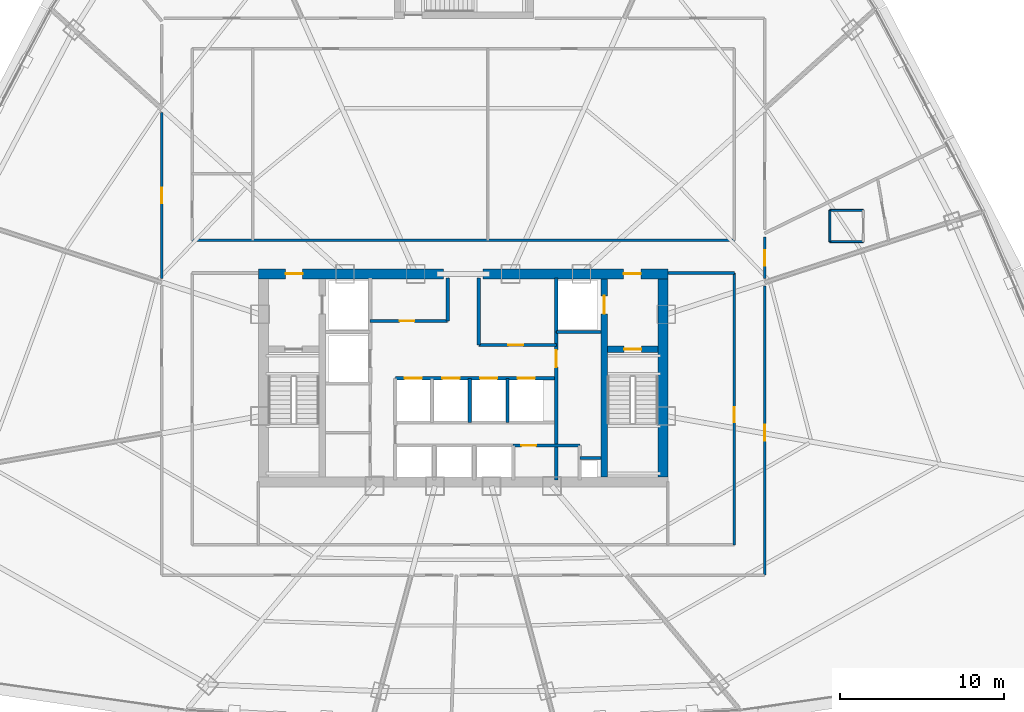
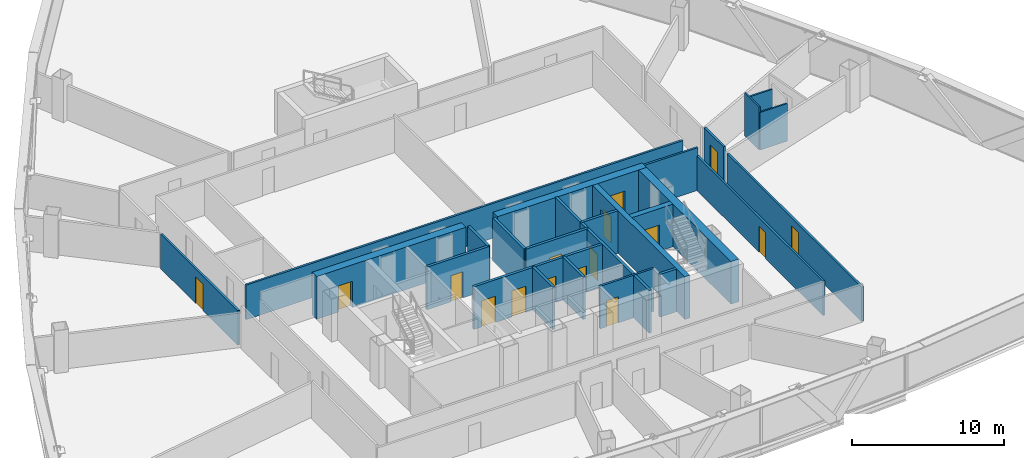
# One storey, part 36 of 42: 26 walls, 16 doors, 16 openings.
"""IFC4 building model written with IfcOpenShell, lengths in metres."""

from ifc_helpers import new_model, si_unit, direction, frame, frame_2d, origin, origin_with_axes, place, context, subcontext, project, spatial, rectangle, extrude, source, transform, mapped, material, layer, layer_set, type_object, element, fill, save


model = new_model("IFC4")

# Units and contexts
model_context = context("Model", 3, precision=1e-05, world=origin(), true_north=direction((0.0, 1.0)))
body_context = subcontext(model_context, "Body", "Model", "MODEL_VIEW")
ifc_project = project(units=[si_unit("LENGTHUNIT", "METRE"), si_unit("AREAUNIT", "SQUARE_METRE"), si_unit("VOLUMEUNIT", "CUBIC_METRE"), si_unit("PLANEANGLEUNIT", "RADIAN"), si_unit("MASSUNIT", "GRAM", prefix="KILO"), si_unit("THERMODYNAMICTEMPERATUREUNIT", "KELVIN"), si_unit("POWERUNIT", "WATT")], contexts=[model_context])

# Site, building, storey
site_placement = place(None, origin())
site = spatial("IfcSite", under=ifc_project, at=site_placement, CompositionType="ELEMENT")
building_placement = place(site_placement, origin())
building = spatial("IfcBuilding", under=site, at=building_placement, Name="Yunzhuo Pagoda Commons", CompositionType="ELEMENT")
storey_placement = place(building_placement, frame((0.0, 0.0, 137.18994140625)))
storey = spatial("IfcBuildingStorey", under=building, at=storey_placement, Name="L34", CompositionType="ELEMENT", Elevation=137.18994140625)

# Wall, opening, door
ifc_material_1 = material(Name="Concrete C60", Category="concrete")
ifc_layer_1 = layer(ifc_material_1, 0.60009765625)
ifc_layer_set_1 = layer_set([ifc_layer_1], Name="Concrete C60")
wall_type_1 = type_object("IfcWallType", Name="W-C02 Mid Core Shear Wall 600", PredefinedType="SHEAR", material=ifc_layer_set_1)
wall_1_placement = place(storey_placement, frame((35.5, 40.199951171875, 0.0), z_axis=(0.0, 0.0, 1.0), x_axis=(1.0, 0.0, 0.0)))
wall_1 = element("IfcWall", 1, at=wall_1_placement, inside=storey, type_object=wall_type_1, Name="L34 core shear wall NW", PredefinedType="SHEAR", context=body_context, shape_type="SweptSolid", body=[
    extrude(rectangle(XDim=11.300048828125, YDim=0.60009765625, at=frame_2d((5.64990234375, 0.0))), origin(), (0.0, 0.0, 1.0), 3.420166015625),
])
opening_1_placement = place(wall_1_placement, frame((1.64990234375, 0.0, 0.0)))
opening_1 = element("IfcOpeningElement", 2, at=opening_1_placement, cuts=wall_1, Name="Opening D-02", PredefinedType="OPENING", context=body_context, shape_type="SweptSolid", body=[
    extrude(rectangle(XDim=1.050048828125, YDim=2.10009765625, at=frame_2d((0.52490234375, 1.050048828125))), frame((0.0, 0.31005859375, 0.0), z_axis=(0.0, -1.0, 0.0), x_axis=(1.0, 0.0, 0.0)), (0.0, 0.0, 1.0), 0.6201171875),
])
ifc_material_2 = material(Name="Galvanized fire-resisting metal leaf")
door_type_1 = type_object("IfcDoorType", Name="D-02 Firefighting Lobby & Refuge Fire Door 1050x2100", OperationType="NOTDEFINED", PredefinedType="DOOR", material=ifc_material_2)
shared_shape_1 = source(origin(), body_context, "Body", "SweptSolid", [
    extrude(rectangle(XDim=1.050048828125, YDim=2.10009765625, at=frame_2d((0.52490234375, 1.050048828125))), frame((0.0, 0.02490234375, 0.0), z_axis=(0.0, -1.0, 0.0), x_axis=(1.0, 0.0, 0.0)), (0.0, 0.0, 1.0), 0.050048828125),
])
door_1_placement = place(opening_1_placement, frame((1.050048828125, 0.0, 0.0), z_axis=(0.0, 0.0, 1.0), x_axis=(-1.0, 0.0, 0.0)))
door_1 = element("IfcDoor", 3, at=door_1_placement, inside=storey, type_object=door_type_1, Name="L34 Firefighting Lobby 1 fire door", OperationType="SINGLE_SWING_LEFT", OverallHeight=2.10009765625, OverallWidth=1.050048828125, PredefinedType="DOOR", context=body_context, shape_type="MappedRepresentation", body=[
    mapped(shared_shape_1, transform((0.0, 0.0, 0.0), scale=1.0)),
])
fill(opening_1, door_1)

wall_2_placement = place(storey_placement, frame((49.199951171875, 40.199951171875, 0.0), z_axis=(0.0, 0.0, 1.0), x_axis=(1.0, 0.0, 0.0)))
wall_2 = element("IfcWall", 4, at=wall_2_placement, inside=storey, type_object=wall_type_1, Name="L34 core shear wall NE", PredefinedType="SHEAR", context=body_context, shape_type="SweptSolid", body=[
    extrude(rectangle(XDim=11.300048828125, YDim=0.60009765625, at=frame_2d((5.64990234375, 0.0))), origin(), (0.0, 0.0, 1.0), 3.420166015625),
])
opening_2_placement = place(wall_2_placement, frame((8.60009765625, 0.0, 0.0)))
opening_2 = element("IfcOpeningElement", 5, at=opening_2_placement, cuts=wall_2, Name="Opening D-02", PredefinedType="OPENING", context=body_context, shape_type="SweptSolid", body=[
    extrude(rectangle(XDim=1.050048828125, YDim=2.10009765625, at=frame_2d((0.52490234375, 1.050048828125))), frame((0.0, 0.31005859375, 0.0), z_axis=(0.0, -1.0, 0.0), x_axis=(1.0, 0.0, 0.0)), (0.0, 0.0, 1.0), 0.6201171875),
])
door_2_placement = place(opening_2_placement, frame((1.050048828125, 0.0, 0.0), z_axis=(0.0, 0.0, 1.0), x_axis=(-1.0, 0.0, 0.0)))
door_2 = element("IfcDoor", 6, at=door_2_placement, inside=storey, type_object=door_type_1, Name="L34 Firefighting Lobby 2 fire door", OperationType="SINGLE_SWING_RIGHT", OverallHeight=2.10009765625, OverallWidth=1.050048828125, PredefinedType="DOOR", context=body_context, shape_type="MappedRepresentation", body=[
    mapped(shared_shape_1, transform((0.0, 0.0, 0.0), scale=1.0)),
])
fill(opening_2, door_2)

# Wall
wall_3_placement = place(storey_placement, frame((60.199951171875, 27.800048828125, 0.0), z_axis=(0.0, 0.0, 1.0), x_axis=(0.0, 1.0, 0.0)))
element("IfcWall", 7, at=wall_3_placement, inside=storey, type_object=wall_type_1, Name="L34 core shear wall E", PredefinedType="SHEAR", context=body_context, shape_type="SweptSolid", body=[
    extrude(rectangle(XDim=12.099853515625, YDim=0.60009765625, at=frame_2d((6.0498046875, 0.0))), origin(), (0.0, 0.0, 1.0), 3.420166015625),
])

# Wall, opening, door
ifc_material_3 = material(Name="Gypsum plasterboard on acoustic stud")
ifc_layer_2 = layer(ifc_material_3, 0.155029296875)
ifc_layer_set_2 = layer_set([ifc_layer_2], Name="Gypsum plasterboard on acoustic stud")
wall_type_2 = type_object("IfcWallType", Name="W-COR2 Mid-Zone Rated Corridor Wall 155", PredefinedType="PARTITIONING", material=ifc_layer_set_2)
wall_4_placement = place(storey_placement, frame((51.050048828125, 29.719970703125, 0.0), z_axis=(0.0, 0.0, 1.0), x_axis=(1.0, 0.0, 0.0)))
wall_4 = element("IfcWall", 8, at=wall_4_placement, inside=storey, type_object=wall_type_2, Name="L34 interior wall IW-L34-CSES", PredefinedType="PARTITIONING", context=body_context, shape_type="SweptSolid", body=[
    extrude(rectangle(XDim=4.070068359375, YDim=0.155029296875, at=frame_2d((2.03515625, 0.0))), origin(), (0.0, 0.0, 1.0), 3.420166015625),
])
opening_3_placement = place(wall_4_placement, frame((0.5, 0.0, 0.0)))
opening_3 = element("IfcOpeningElement", 9, at=opening_3_placement, cuts=wall_4, Name="Opening D-03", PredefinedType="OPENING", context=body_context, shape_type="SweptSolid", body=[
    extrude(rectangle(XDim=0.89990234375, YDim=2.10009765625, at=frame_2d((0.449951171875, 1.050048828125))), frame((0.0, 0.08740234375, 0.0), z_axis=(0.0, -1.0, 0.0), x_axis=(1.0, 0.0, 0.0)), (0.0, 0.0, 1.0), 0.175048828125),
])
door_type_2 = type_object("IfcDoorType", Name="D-03 Core Service Fire Door 900x2100", OperationType="NOTDEFINED", PredefinedType="DOOR", material=ifc_material_2)
shared_shape_2 = source(origin(), body_context, "Body", "SweptSolid", [
    extrude(rectangle(XDim=0.89990234375, YDim=2.10009765625, at=frame_2d((0.449951171875, 1.050048828125))), frame((0.0, 0.02490234375, 0.0), z_axis=(0.0, -1.0, 0.0), x_axis=(1.0, 0.0, 0.0)), (0.0, 0.0, 1.0), 0.050048828125),
])
door_3_placement = place(opening_3_placement, origin_with_axes())
door_3 = element("IfcDoor", 10, at=door_3_placement, inside=storey, type_object=door_type_2, Name="L34 IT closet door", OperationType="SINGLE_SWING_LEFT", OverallHeight=2.10009765625, OverallWidth=0.89990234375, PredefinedType="DOOR", context=body_context, shape_type="MappedRepresentation", body=[
    mapped(shared_shape_2, transform((0.0, 0.0, 0.0), scale=1.0)),
])
fill(opening_3, door_3)

# Wall
wall_5_placement = place(storey_placement, frame((31.449951171875, 42.25, 0.0), z_axis=(0.0, 0.0, 1.0), x_axis=(1.0, 0.0, 0.0)))
element("IfcWall", 11, at=wall_5_placement, inside=storey, type_object=wall_type_2, Name="L34 interior wall IW-L34-MCNS", PredefinedType="PARTITIONING", context=body_context, shape_type="SweptSolid", body=[
    extrude(rectangle(XDim=33.10009765625, YDim=0.155029296875, at=frame_2d((16.550048828125, 0.0))), origin(), (0.0, 0.0, 1.0), 2.77001953125),
])

# Wall, opening, door
wall_6_placement = place(storey_placement, frame((64.550048828125, 23.64990234375, 0.0), z_axis=(0.0, 0.0, 1.0), x_axis=(0.0, 1.0, 0.0)))
wall_6 = element("IfcWall", 12, at=wall_6_placement, inside=storey, type_object=wall_type_2, Name="L34 interior wall IW-L34-SFLE", PredefinedType="PARTITIONING", context=body_context, shape_type="SweptSolid", body=[
    extrude(rectangle(XDim=16.60009765625, YDim=0.155029296875, at=frame_2d((8.300048828125, 0.0))), origin(), (0.0, 0.0, 1.0), 2.77001953125),
])
opening_4_placement = place(wall_6_placement, frame((7.5, 0.0, 0.0)))
opening_4 = element("IfcOpeningElement", 13, at=opening_4_placement, cuts=wall_6, Name="Opening D-12", PredefinedType="OPENING", context=body_context, shape_type="SweptSolid", body=[
    extrude(rectangle(XDim=0.89990234375, YDim=2.080078125, at=frame_2d((0.449951171875, 1.0400390625))), frame((0.0, 0.08740234375, 0.0), z_axis=(0.0, -1.0, 0.0), x_axis=(1.0, 0.0, 0.0)), (0.0, 0.0, 1.0), 0.175048828125),
])
ifc_material_4 = material(Name="Powder-coated aluminium and timber acoustic leaf", Category="wood")
door_type_3 = type_object("IfcDoorType", Name="D-12 Quiet Study Interior Door 900x2080", OperationType="NOTDEFINED", PredefinedType="DOOR", material=ifc_material_4)
shared_shape_3 = source(origin(), body_context, "Body", "SweptSolid", [
    extrude(rectangle(XDim=0.89990234375, YDim=2.080078125, at=frame_2d((0.449951171875, 1.0400390625))), frame((0.0, 0.02490234375, 0.0), z_axis=(0.0, -1.0, 0.0), x_axis=(1.0, 0.0, 0.0)), (0.0, 0.0, 1.0), 0.050048828125),
])
door_4_placement = place(opening_4_placement, frame((0.89990234375, 0.0, 0.0), z_axis=(0.0, 0.0, 1.0), x_axis=(-1.0, 0.0, 0.0)))
door_4 = element("IfcDoor", 14, at=door_4_placement, inside=storey, type_object=door_type_3, Name="L34 east study workroom door", OperationType="SINGLE_SWING_RIGHT", OverallHeight=2.080078125, OverallWidth=0.89990234375, PredefinedType="DOOR", context=body_context, shape_type="MappedRepresentation", body=[
    mapped(shared_shape_3, transform((0.0, 0.0, 0.0), scale=1.0)),
])
fill(opening_4, door_4)

# Wall
wall_7_placement = place(storey_placement, frame((60.5, 40.25, 0.0), z_axis=(0.0, 0.0, 1.0), x_axis=(1.0, 0.0, 0.0)))
element("IfcWall", 15, at=wall_7_placement, inside=storey, type_object=wall_type_2, Name="L34 interior wall IW-L34-SFLNE", PredefinedType="PARTITIONING", context=body_context, shape_type="SweptSolid", body=[
    extrude(rectangle(XDim=4.050048828125, YDim=0.155029296875, at=frame_2d((2.02490234375, 0.0))), origin(), (0.0, 0.0, 1.0), 3.420166015625),
])

# Wall, opening, door
wall_8_placement = place(storey_placement, frame((29.60009765625, 39.909912109375, 0.0), z_axis=(0.0, 0.0, 1.0), x_axis=(0.0, 1.0, 0.0)))
wall_8 = element("IfcWall", 16, at=wall_8_placement, inside=storey, type_object=wall_type_2, Name="L34 interior wall IW-L34-CWL03", PredefinedType="PARTITIONING", context=body_context, shape_type="SweptSolid", body=[
    extrude(rectangle(XDim=10.1376953125, YDim=0.155029296875, at=frame_2d((5.06884765625, 0.0))), origin(), (0.0, 0.0, 1.0), 2.77001953125),
])
opening_5_placement = place(wall_8_placement, frame((4.588134765625, 0.0, 0.0)))
opening_5 = element("IfcOpeningElement", 17, at=opening_5_placement, cuts=wall_8, Name="Opening D-07", PredefinedType="OPENING", context=body_context, shape_type="SweptSolid", body=[
    extrude(rectangle(XDim=0.9599609375, YDim=2.1201171875, at=frame_2d((0.47998046875, 1.06005859375))), frame((0.0, 0.08740234375, 0.0), z_axis=(0.0, -1.0, 0.0), x_axis=(1.0, 0.0, 0.0)), (0.0, 0.0, 1.0), 0.175048828125),
])
door_type_4 = type_object("IfcDoorType", Name="D-07 Mid-Zone Suite Entrance Fire Door 960x2120", OperationType="NOTDEFINED", PredefinedType="DOOR", material=ifc_material_2)
shared_shape_4 = source(origin(), body_context, "Body", "SweptSolid", [
    extrude(rectangle(XDim=0.9599609375, YDim=2.1201171875, at=frame_2d((0.47998046875, 1.06005859375))), frame((0.0, 0.02490234375, 0.0), z_axis=(0.0, -1.0, 0.0), x_axis=(1.0, 0.0, 0.0)), (0.0, 0.0, 1.0), 0.050048828125),
])
door_5_placement = place(opening_5_placement, origin_with_axes())
door_5 = element("IfcDoor", 18, at=door_5_placement, inside=storey, type_object=door_type_4, Name="L34 unit 07 entrance door", OperationType="SINGLE_SWING_LEFT", OverallHeight=2.1201171875, OverallWidth=0.9599609375, PredefinedType="DOOR", context=body_context, shape_type="MappedRepresentation", body=[
    mapped(shared_shape_4, transform((0.0, 0.0, 0.0), scale=1.0)),
])
fill(opening_5, door_5)

wall_9_placement = place(storey_placement, frame((66.39990234375, 42.45458984375, 0.0), z_axis=(0.0, 0.0, 1.0), x_axis=(0.0, -1.0, 0.0)))
wall_9 = element("IfcWall", 19, at=wall_9_placement, inside=storey, type_object=wall_type_2, Name="L34 interior wall IW-L34-CWL11", PredefinedType="PARTITIONING", context=body_context, shape_type="SweptSolid", body=[
    extrude(rectangle(XDim=2.544677734375, YDim=0.155029296875, at=frame_2d((1.2724609375, 0.0))), origin(), (0.0, 0.0, 1.0), 3.02001953125),
])
opening_6_placement = place(wall_9_placement, frame((0.802978515625, 0.0, 0.0)))
opening_6 = element("IfcOpeningElement", 20, at=opening_6_placement, cuts=wall_9, Name="Opening D-07", PredefinedType="OPENING", context=body_context, shape_type="SweptSolid", body=[
    extrude(rectangle(XDim=0.9599609375, YDim=2.1201171875, at=frame_2d((0.47998046875, 1.06005859375))), frame((0.0, 0.08740234375, 0.0), z_axis=(0.0, -1.0, 0.0), x_axis=(1.0, 0.0, 0.0)), (0.0, 0.0, 1.0), 0.175048828125),
])
door_6_placement = place(opening_6_placement, origin_with_axes())
door_6 = element("IfcDoor", 21, at=door_6_placement, inside=storey, type_object=door_type_4, Name="L34 unit 01 entrance door", OperationType="SINGLE_SWING_LEFT", OverallHeight=2.1201171875, OverallWidth=0.9599609375, PredefinedType="DOOR", context=body_context, shape_type="MappedRepresentation", body=[
    mapped(shared_shape_4, transform((0.0, 0.0, 0.0), scale=1.0)),
])
fill(opening_6, door_6)

wall_10_placement = place(storey_placement, frame((66.39990234375, 39.458740234375, 0.0), z_axis=(0.0, 0.0, 1.0), x_axis=(0.0, -1.0, 0.0)))
wall_10 = element("IfcWall", 22, at=wall_10_placement, inside=storey, type_object=wall_type_2, Name="L34 interior wall IW-L34-CWL12", PredefinedType="PARTITIONING", context=body_context, shape_type="SweptSolid", body=[
    extrude(rectangle(XDim=17.65869140625, YDim=0.155029296875, at=frame_2d((8.829345703125, 0.0))), origin(), (0.0, 0.0, 1.0), 2.77001953125),
])
opening_7_placement = place(wall_10_placement, frame((8.474365234375, 0.0, 0.0)))
opening_7 = element("IfcOpeningElement", 23, at=opening_7_placement, cuts=wall_10, Name="Opening D-07", PredefinedType="OPENING", context=body_context, shape_type="SweptSolid", body=[
    extrude(rectangle(XDim=0.9599609375, YDim=2.1201171875, at=frame_2d((0.47998046875, 1.06005859375))), frame((0.0, 0.08740234375, 0.0), z_axis=(0.0, -1.0, 0.0), x_axis=(1.0, 0.0, 0.0)), (0.0, 0.0, 1.0), 0.175048828125),
])
door_7_placement = place(opening_7_placement, origin_with_axes())
door_7 = element("IfcDoor", 24, at=door_7_placement, inside=storey, type_object=door_type_4, Name="L34 Resident Co-Living Commons Hall door", OperationType="SINGLE_SWING_LEFT", OverallHeight=2.1201171875, OverallWidth=0.9599609375, PredefinedType="DOOR", context=body_context, shape_type="MappedRepresentation", body=[
    mapped(shared_shape_4, transform((0.0, 0.0, 0.0), scale=1.0)),
])
fill(opening_7, door_7)

# Walls
ifc_layer_3 = layer(ifc_material_3, 0.1201171875)
ifc_layer_set_3 = layer_set([ifc_layer_3], Name="Gypsum plasterboard on acoustic stud")
wall_type_3 = type_object("IfcWallType", Name="W-PRT1 Suite & Bathroom Partition 120", PredefinedType="PARTITIONING", material=ifc_layer_set_3)
for number, where, z_axis, x_axis, name in (
    (25, (70.383056640625, 42.1708984375, 0.0), (0.0, 0.0, 1.0), (1.0, 0.0, 0.0), "L34 interior wall IW-L34-B01S"),
    (26, (72.43310546875, 44.071044921875, 0.0), (0.0, 0.0, 1.0), (-1.0, 0.0, 0.0), "L34 interior wall IW-L34-B01N"),
):
    element("IfcWall", number, at=place(storey_placement, frame(where, z_axis=z_axis, x_axis=x_axis)), inside=storey, type_object=wall_type_3, Name=name, PredefinedType="PARTITIONING", context=body_context, shape_type="SweptSolid", body=[
        extrude(rectangle(XDim=2.050048828125, YDim=0.1201171875, at=frame_2d((1.02490234375, 0.0))), origin(), (0.0, 0.0, 1.0), 3.02001953125),
    ])
wall_11_placement = place(storey_placement, frame((70.383056640625, 44.071044921875, 0.0), z_axis=(0.0, 0.0, 1.0), x_axis=(0.0, -1.0, 0.0)))
element("IfcWall", 27, at=wall_11_placement, inside=storey, type_object=wall_type_3, Name="L34 interior wall IW-L34-B01W", PredefinedType="PARTITIONING", context=body_context, shape_type="SweptSolid", body=[
    extrude(rectangle(XDim=1.900146484375, YDim=0.1201171875, at=frame_2d((0.9501953125, 0.0))), origin(), (0.0, 0.0, 1.0), 3.420166015625),
])

# Wall, opening, door
ifc_layer_4 = layer(ifc_material_1, 0.39990234375)
ifc_layer_set_4 = layer_set([ifc_layer_4], Name="Concrete C60")
wall_type_4 = type_object("IfcWallType", Name="W-S01 Internal Core Shear Web 400", PredefinedType="SHEAR", material=ifc_layer_set_4)
wall_12_placement = place(storey_placement, frame((56.60009765625, 27.800048828125, 0.0), z_axis=(0.0, 0.0, 1.0), x_axis=(0.0, 1.0, 0.0)))
wall_12 = element("IfcWall", 28, at=wall_12_placement, inside=storey, type_object=wall_type_4, Name="L34 core shear wall WEBE", PredefinedType="SHEAR", context=body_context, shape_type="SweptSolid", body=[
    extrude(rectangle(XDim=12.099853515625, YDim=0.39990234375, at=frame_2d((6.0498046875, 0.0))), origin(), (0.0, 0.0, 1.0), 3.420166015625),
])
opening_8_placement = place(wall_12_placement, frame((9.949951171875, 0.0, 0.0)))
opening_8 = element("IfcOpeningElement", 29, at=opening_8_placement, cuts=wall_12, Name="Opening LD-01", PredefinedType="OPENING", context=body_context, shape_type="SweptSolid", body=[
    extrude(rectangle(XDim=1.10009765625, YDim=2.10009765625, at=frame_2d((0.550048828125, 1.050048828125))), frame((0.0, 0.2099609375, 0.0), z_axis=(0.0, -1.0, 0.0), x_axis=(1.0, 0.0, 0.0)), (0.0, 0.0, 1.0), 0.419921875),
])
door_type_5 = type_object("IfcDoorType", Name="LD-01 Firefighting Lift Landing Door 1100x2100", OperationType="DOUBLE_DOOR_SLIDING", PredefinedType="DOOR", material=ifc_material_2)
shared_shape_5 = source(origin(), body_context, "Body", "SweptSolid", [
    extrude(rectangle(XDim=1.10009765625, YDim=2.10009765625, at=frame_2d((0.550048828125, 1.050048828125))), frame((0.0, 0.02490234375, 0.0), z_axis=(0.0, -1.0, 0.0), x_axis=(1.0, 0.0, 0.0)), (0.0, 0.0, 1.0), 0.050048828125),
])
door_8_placement = place(opening_8_placement, origin_with_axes())
door_8 = element("IfcDoor", 30, at=door_8_placement, inside=storey, type_object=door_type_5, Name="L34 Firefighting lift FL-2 landing door", OperationType="DOUBLE_DOOR_SLIDING", OverallHeight=2.10009765625, OverallWidth=1.10009765625, PredefinedType="DOOR", context=body_context, shape_type="MappedRepresentation", body=[
    mapped(shared_shape_5, transform((0.0, 0.0, 0.0), scale=1.0)),
])
fill(opening_8, door_8)

wall_13_placement = place(storey_placement, frame((56.800048828125, 35.60009765625, 0.0), z_axis=(0.0, 0.0, 1.0), x_axis=(1.0, 0.0, 0.0)))
wall_13 = element("IfcWall", 31, at=wall_13_placement, inside=storey, type_object=wall_type_4, Name="L34 core shear wall STE", PredefinedType="SHEAR", context=body_context, shape_type="SweptSolid", body=[
    extrude(rectangle(XDim=3.099853515625, YDim=0.39990234375, at=frame_2d((1.5498046875, 0.0))), origin(), (0.0, 0.0, 1.0), 3.420166015625),
])
opening_9_placement = place(wall_13_placement, frame((1.02001953125, 0.0, 0.0)))
opening_9 = element("IfcOpeningElement", 32, at=opening_9_placement, cuts=wall_13, Name="Opening D-01", PredefinedType="OPENING", context=body_context, shape_type="SweptSolid", body=[
    extrude(rectangle(XDim=1.050048828125, YDim=2.10009765625, at=frame_2d((0.52490234375, 1.050048828125))), frame((0.0, 0.2099609375, 0.0), z_axis=(0.0, -1.0, 0.0), x_axis=(1.0, 0.0, 0.0)), (0.0, 0.0, 1.0), 0.419921875),
])
door_type_6 = type_object("IfcDoorType", Name="D-01 Smokeproof Stair Fire Door 1050x2100", OperationType="NOTDEFINED", PredefinedType="DOOR", material=ifc_material_2)
door_9_placement = place(opening_9_placement, frame((1.050048828125, 0.0, 0.0), z_axis=(0.0, 0.0, 1.0), x_axis=(-1.0, 0.0, 0.0)))
door_9 = element("IfcDoor", 33, at=door_9_placement, inside=storey, type_object=door_type_6, Name="L34 Stair ST2 fire door", OperationType="SINGLE_SWING_RIGHT", OverallHeight=2.10009765625, OverallWidth=1.050048828125, PredefinedType="DOOR", context=body_context, shape_type="MappedRepresentation", body=[
    mapped(shared_shape_1, transform((0.0, 0.0, 0.0), scale=1.0)),
])
fill(opening_9, door_9)

# Walls
ifc_material_5 = material(Name="Concrete C40", Category="concrete")
ifc_layer_5 = layer(ifc_material_5, 0.199951171875)
ifc_layer_set_5 = layer_set([ifc_layer_5], Name="Concrete C40")
wall_type_5 = type_object("IfcWallType", Name="W-SHF Shaft & Stair Enclosure Wall 200", PredefinedType="SOLIDWALL", material=ifc_layer_set_5)
wall_14_placement = place(storey_placement, frame((53.679931640625, 36.64990234375, 0.0), z_axis=(0.0, 0.0, 1.0), x_axis=(0.0, 1.0, 0.0)))
element("IfcWall", 34, at=wall_14_placement, inside=storey, type_object=wall_type_5, Name="L34 interior wall IW-L34-FL2W", PredefinedType="SOLIDWALL", context=body_context, shape_type="SweptSolid", body=[
    extrude(rectangle(XDim=3.300048828125, YDim=0.199951171875, at=frame_2d((1.64990234375, 0.0))), origin(), (0.0, 0.0, 1.0), 3.420166015625),
])
wall_15_placement = place(storey_placement, frame((53.679931640625, 36.64990234375, 0.0), z_axis=(0.0, 0.0, 1.0), x_axis=(1.0, 0.0, 0.0)))
element("IfcWall", 35, at=wall_15_placement, inside=storey, type_object=wall_type_5, Name="L34 interior wall IW-L34-FL2S", PredefinedType="SOLIDWALL", context=body_context, shape_type="SweptSolid", body=[
    extrude(rectangle(XDim=2.719970703125, YDim=0.199951171875, at=frame_2d((1.35986328125, 0.0))), origin(), (0.0, 0.0, 1.0), 3.420166015625),
])

# Wall, opening, door
wall_16_placement = place(storey_placement, frame((42.320068359375, 37.320068359375, 0.0), z_axis=(0.0, 0.0, 1.0), x_axis=(1.0, 0.0, 0.0)))
wall_16 = element("IfcWall", 36, at=wall_16_placement, inside=storey, type_object=wall_type_5, Name="L34 interior wall IW-L34-LBNW", PredefinedType="SOLIDWALL", context=body_context, shape_type="SweptSolid", body=[
    extrude(rectangle(XDim=4.72998046875, YDim=0.199951171875, at=frame_2d((2.364990234375, 0.0))), origin(), (0.0, 0.0, 1.0), 3.420166015625),
])
opening_10_placement = place(wall_16_placement, frame((1.800048828125, 0.0, 0.0)))
opening_10 = element("IfcOpeningElement", 37, at=opening_10_placement, cuts=wall_16, Name="Opening D-03", PredefinedType="OPENING", context=body_context, shape_type="SweptSolid", body=[
    extrude(rectangle(XDim=0.89990234375, YDim=2.10009765625, at=frame_2d((0.449951171875, 1.050048828125))), frame((0.0, 0.10986328125, 0.0), z_axis=(0.0, -1.0, 0.0), x_axis=(1.0, 0.0, 0.0)), (0.0, 0.0, 1.0), 0.219970703125),
])
door_10_placement = place(opening_10_placement, frame((0.89990234375, 0.0, 0.0), z_axis=(0.0, 0.0, 1.0), x_axis=(-1.0, 0.0, 0.0)))
door_10 = element("IfcDoor", 38, at=door_10_placement, inside=storey, type_object=door_type_2, Name="L34 core west store door", OperationType="SINGLE_SWING_LEFT", OverallHeight=2.10009765625, OverallWidth=0.89990234375, PredefinedType="DOOR", context=body_context, shape_type="MappedRepresentation", body=[
    mapped(shared_shape_2, transform((0.0, 0.0, 0.0), scale=1.0)),
])
fill(opening_10, door_10)

wall_17_placement = place(storey_placement, frame((48.949951171875, 35.85009765625, 0.0), z_axis=(0.0, 0.0, 1.0), x_axis=(1.0, 0.0, 0.0)))
wall_17 = element("IfcWall", 39, at=wall_17_placement, inside=storey, type_object=wall_type_5, Name="L34 interior wall IW-L34-LBNE", PredefinedType="SOLIDWALL", context=body_context, shape_type="SweptSolid", body=[
    extrude(rectangle(XDim=4.72998046875, YDim=0.199951171875, at=frame_2d((2.364990234375, 0.0))), origin(), (0.0, 0.0, 1.0), 3.420166015625),
])
opening_11_placement = place(wall_17_placement, frame((1.800048828125, 0.0, 0.0)))
opening_11 = element("IfcOpeningElement", 40, at=opening_11_placement, cuts=wall_17, Name="Opening D-03", PredefinedType="OPENING", context=body_context, shape_type="SweptSolid", body=[
    extrude(rectangle(XDim=0.89990234375, YDim=2.10009765625, at=frame_2d((0.449951171875, 1.050048828125))), frame((0.0, 0.10986328125, 0.0), z_axis=(0.0, -1.0, 0.0), x_axis=(1.0, 0.0, 0.0)), (0.0, 0.0, 1.0), 0.219970703125),
])
door_11_placement = place(opening_11_placement, frame((0.89990234375, 0.0, 0.0), z_axis=(0.0, 0.0, 1.0), x_axis=(-1.0, 0.0, 0.0)))
door_11 = element("IfcDoor", 41, at=door_11_placement, inside=storey, type_object=door_type_2, Name="L34 core east store door", OperationType="SINGLE_SWING_RIGHT", OverallHeight=2.10009765625, OverallWidth=0.89990234375, PredefinedType="DOOR", context=body_context, shape_type="MappedRepresentation", body=[
    mapped(shared_shape_2, transform((0.0, 0.0, 0.0), scale=1.0)),
])
fill(opening_11, door_11)

# Walls
wall_18_placement = place(storey_placement, frame((47.050048828125, 37.320068359375, 0.0), z_axis=(0.0, 0.0, 1.0), x_axis=(0.0, 1.0, 0.0)))
element("IfcWall", 42, at=wall_18_placement, inside=storey, type_object=wall_type_5, Name="L34 interior wall IW-L34-THRW", PredefinedType="SOLIDWALL", context=body_context, shape_type="SweptSolid", body=[
    extrude(rectangle(XDim=2.6298828125, YDim=0.199951171875, at=frame_2d((1.31494140625, 0.0))), origin(), (0.0, 0.0, 1.0), 3.420166015625),
])
wall_19_placement = place(storey_placement, frame((48.949951171875, 35.85009765625, 0.0), z_axis=(0.0, 0.0, 1.0), x_axis=(0.0, 1.0, 0.0)))
element("IfcWall", 43, at=wall_19_placement, inside=storey, type_object=wall_type_5, Name="L34 interior wall IW-L34-THRE", PredefinedType="SOLIDWALL", context=body_context, shape_type="SweptSolid", body=[
    extrude(rectangle(XDim=4.099853515625, YDim=0.199951171875, at=frame_2d((2.0498046875, 0.0))), origin(), (0.0, 0.0, 1.0), 3.420166015625),
])

# Wall, openings, doors
wall_20_placement = place(storey_placement, frame((43.85009765625, 33.820068359375, 0.0), z_axis=(0.0, 0.0, 1.0), x_axis=(1.0, 0.0, 0.0)))
wall_20 = element("IfcWall", 44, at=wall_20_placement, inside=storey, type_object=wall_type_5, Name="L34 interior wall IW-L34-MLBS", PredefinedType="SOLIDWALL", context=body_context, shape_type="SweptSolid", body=[
    extrude(rectangle(XDim=9.829833984375, YDim=0.199951171875, at=frame_2d((4.9150390625, 0.0))), origin(), (0.0, 0.0, 1.0), 3.420166015625),
])
opening_12_placement = place(wall_20_placement, frame((0.574951171875, 0.0, 0.0)))
opening_12 = element("IfcOpeningElement", 45, at=opening_12_placement, cuts=wall_20, Name="Opening LD-02", PredefinedType="OPENING", context=body_context, shape_type="SweptSolid", body=[
    extrude(rectangle(XDim=1.050048828125, YDim=2.10009765625, at=frame_2d((0.52490234375, 1.050048828125))), frame((0.0, 0.10986328125, 0.0), z_axis=(0.0, -1.0, 0.0), x_axis=(1.0, 0.0, 0.0)), (0.0, 0.0, 1.0), 0.219970703125),
])
opening_13_placement = place(wall_20_placement, frame((2.875, 0.0, 0.0)))
opening_13 = element("IfcOpeningElement", 46, at=opening_13_placement, cuts=wall_20, Name="Opening LD-02", PredefinedType="OPENING", context=body_context, shape_type="SweptSolid", body=[
    extrude(rectangle(XDim=1.050048828125, YDim=2.10009765625, at=frame_2d((0.52490234375, 1.050048828125))), frame((0.0, 0.10986328125, 0.0), z_axis=(0.0, -1.0, 0.0), x_axis=(1.0, 0.0, 0.0)), (0.0, 0.0, 1.0), 0.219970703125),
])
opening_14_placement = place(wall_20_placement, frame((5.175048828125, 0.0, 0.0)))
opening_14 = element("IfcOpeningElement", 47, at=opening_14_placement, cuts=wall_20, Name="Opening LD-02", PredefinedType="OPENING", context=body_context, shape_type="SweptSolid", body=[
    extrude(rectangle(XDim=1.050048828125, YDim=2.10009765625, at=frame_2d((0.52490234375, 1.050048828125))), frame((0.0, 0.10986328125, 0.0), z_axis=(0.0, -1.0, 0.0), x_axis=(1.0, 0.0, 0.0)), (0.0, 0.0, 1.0), 0.219970703125),
])
opening_15_placement = place(wall_20_placement, frame((7.47509765625, 0.0, 0.0)))
opening_15 = element("IfcOpeningElement", 48, at=opening_15_placement, cuts=wall_20, Name="Opening LD-02", PredefinedType="OPENING", context=body_context, shape_type="SweptSolid", body=[
    extrude(rectangle(XDim=1.050048828125, YDim=2.10009765625, at=frame_2d((0.52490234375, 1.050048828125))), frame((0.0, 0.10986328125, 0.0), z_axis=(0.0, -1.0, 0.0), x_axis=(1.0, 0.0, 0.0)), (0.0, 0.0, 1.0), 0.219970703125),
])
door_type_7 = type_object("IfcDoorType", Name="LD-02 Passenger Lift Landing Door 1050x2100", OperationType="DOUBLE_DOOR_SLIDING", PredefinedType="DOOR", material=ifc_material_2)
door_12_placement = place(opening_12_placement, origin_with_axes())
door_12 = element("IfcDoor", 49, at=door_12_placement, inside=storey, type_object=door_type_7, Name="L34 Passenger lift PL-M1 landing door", OperationType="DOUBLE_DOOR_SLIDING", OverallHeight=2.10009765625, OverallWidth=1.050048828125, PredefinedType="DOOR", context=body_context, shape_type="MappedRepresentation", body=[
    mapped(shared_shape_1, transform((0.0, 0.0, 0.0), scale=1.0)),
])
fill(opening_12, door_12)
door_13_placement = place(opening_13_placement, origin_with_axes())
door_13 = element("IfcDoor", 50, at=door_13_placement, inside=storey, type_object=door_type_7, Name="L34 Passenger lift PL-M2 landing door", OperationType="DOUBLE_DOOR_SLIDING", OverallHeight=2.10009765625, OverallWidth=1.050048828125, PredefinedType="DOOR", context=body_context, shape_type="MappedRepresentation", body=[
    mapped(shared_shape_1, transform((0.0, 0.0, 0.0), scale=1.0)),
])
fill(opening_13, door_13)
door_14_placement = place(opening_14_placement, origin_with_axes())
door_14 = element("IfcDoor", 51, at=door_14_placement, inside=storey, type_object=door_type_7, Name="L34 Passenger lift PL-M3 landing door", OperationType="DOUBLE_DOOR_SLIDING", OverallHeight=2.10009765625, OverallWidth=1.050048828125, PredefinedType="DOOR", context=body_context, shape_type="MappedRepresentation", body=[
    mapped(shared_shape_1, transform((0.0, 0.0, 0.0), scale=1.0)),
])
fill(opening_14, door_14)
door_15_placement = place(opening_15_placement, origin_with_axes())
door_15 = element("IfcDoor", 52, at=door_15_placement, inside=storey, type_object=door_type_7, Name="L34 Passenger lift PL-M4 landing door", OperationType="DOUBLE_DOOR_SLIDING", OverallHeight=2.10009765625, OverallWidth=1.050048828125, PredefinedType="DOOR", context=body_context, shape_type="MappedRepresentation", body=[
    mapped(shared_shape_1, transform((0.0, 0.0, 0.0), scale=1.0)),
])
fill(opening_15, door_15)

# Wall, opening, door
wall_21_placement = place(storey_placement, frame((53.679931640625, 27.60009765625, 0.0), z_axis=(0.0, 0.0, 1.0), x_axis=(0.0, 1.0, 0.0)))
wall_21 = element("IfcWall", 53, at=wall_21_placement, inside=storey, type_object=wall_type_5, Name="L34 interior wall IW-L34-PLME", PredefinedType="SOLIDWALL", context=body_context, shape_type="SweptSolid", body=[
    extrude(rectangle(XDim=9.0498046875, YDim=0.199951171875, at=frame_2d((4.52490234375, 0.0))), origin(), (0.0, 0.0, 1.0), 3.420166015625),
])
opening_16_placement = place(wall_21_placement, frame((6.89990234375, 0.0, 0.0)))
opening_16 = element("IfcOpeningElement", 54, at=opening_16_placement, cuts=wall_21, Name="Opening D-02", PredefinedType="OPENING", context=body_context, shape_type="SweptSolid", body=[
    extrude(rectangle(XDim=1.050048828125, YDim=2.10009765625, at=frame_2d((0.52490234375, 1.050048828125))), frame((0.0, 0.10986328125, 0.0), z_axis=(0.0, -1.0, 0.0), x_axis=(1.0, 0.0, 0.0)), (0.0, 0.0, 1.0), 0.219970703125),
])
door_16_placement = place(opening_16_placement, origin_with_axes())
door_16 = element("IfcDoor", 55, at=door_16_placement, inside=storey, type_object=door_type_1, Name="L34 High-bank lift hall door", OperationType="SINGLE_SWING_RIGHT", OverallHeight=2.10009765625, OverallWidth=1.050048828125, PredefinedType="DOOR", context=body_context, shape_type="MappedRepresentation", body=[
    mapped(shared_shape_1, transform((0.0, 0.0, 0.0), scale=1.0)),
])
fill(opening_16, door_16)

# Walls
for number, where, z_axis, x_axis, name in (
    (56, (48.39990234375, 31.1201171875, 0.0), (0.0, 0.0, 1.0), (0.0, 1.0, 0.0), "L34 interior wall IW-L34-PLMD2"),
    (57, (50.699951171875, 31.1201171875, 0.0), (0.0, 0.0, 1.0), (0.0, 1.0, 0.0), "L34 interior wall IW-L34-PLMD3"),
):
    element("IfcWall", number, at=place(storey_placement, frame(where, z_axis=z_axis, x_axis=x_axis)), inside=storey, type_object=wall_type_5, Name=name, PredefinedType="SOLIDWALL", context=body_context, shape_type="SweptSolid", body=[
        extrude(rectangle(XDim=2.699951171875, YDim=0.199951171875, at=frame_2d((1.35009765625, 0.0))), origin(), (0.0, 0.0, 1.0), 3.420166015625),
    ])
wall_22_placement = place(storey_placement, frame((55.1201171875, 28.949951171875, 0.0), z_axis=(0.0, 0.0, 1.0), x_axis=(1.0, 0.0, 0.0)))
element("IfcWall", 58, at=wall_22_placement, inside=storey, type_object=wall_type_5, Name="L34 interior wall IW-L34-RSHFN", PredefinedType="SOLIDWALL", context=body_context, shape_type="SweptSolid", body=[
    extrude(rectangle(XDim=1.27978515625, YDim=0.199951171875, at=frame_2d((0.639892578125, 0.0))), origin(), (0.0, 0.0, 1.0), 3.420166015625),
])

save(model, "model.ifc")
